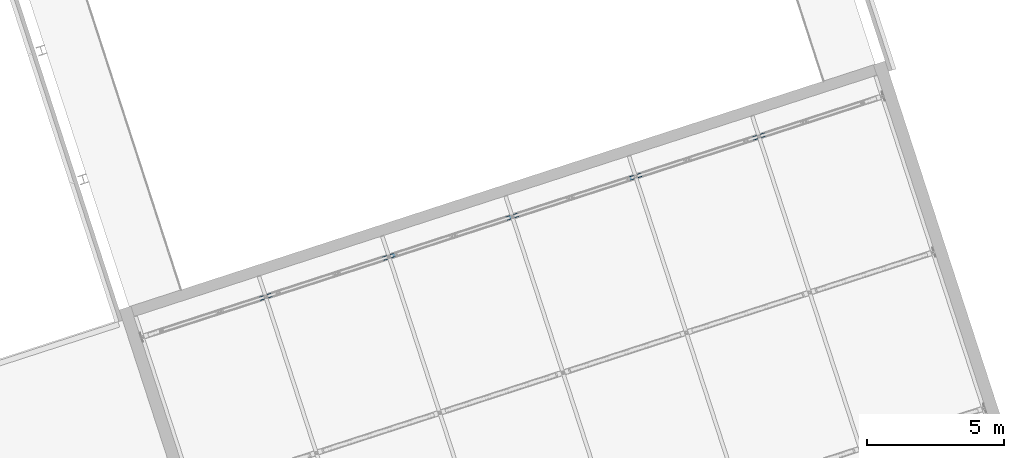
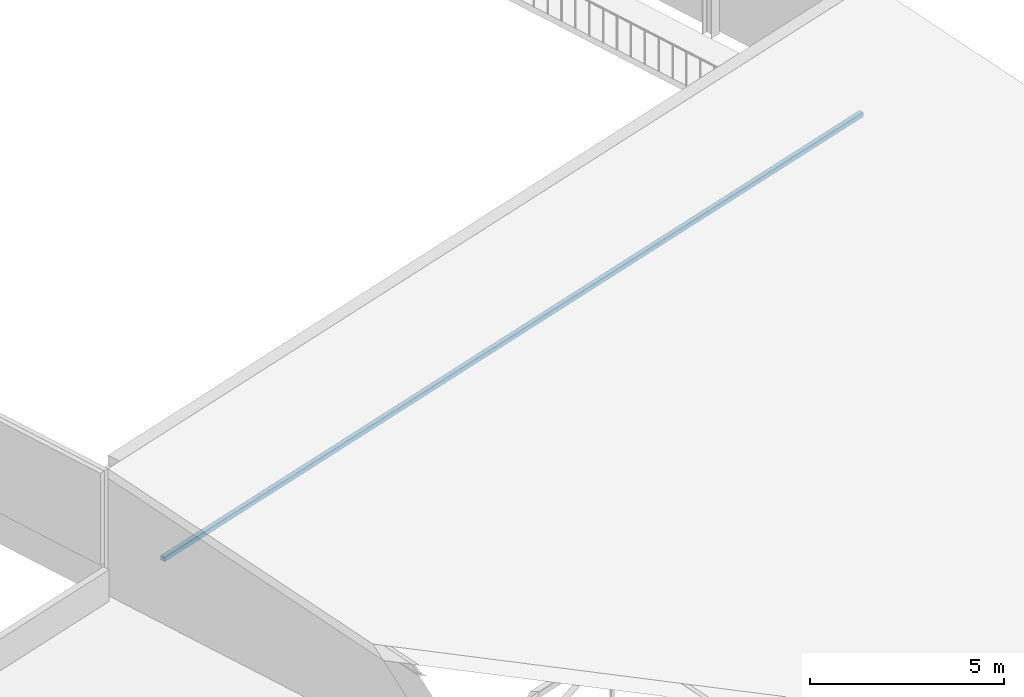
# One storey, part 13 of 55: 1 member.
"""IFC4 building model written with IfcOpenShell, lengths in metres."""

from ifc_helpers import new_model, si_unit, direction, frame, origin, origin_2d, place, context, subcontext, project, spatial, hollow_rectangle, extrude, material, material_profile, profile_set, type_object, element, save


model = new_model("IFC4")

# Units and contexts
model_context = context("Model", 3, precision=1e-05, world=origin(), true_north=direction((0.0, 1.0)))
body_context = subcontext(model_context, "Body", "Model", "MODEL_VIEW")
ifc_project = project(units=[si_unit("LENGTHUNIT", "METRE"), si_unit("AREAUNIT", "SQUARE_METRE"), si_unit("VOLUMEUNIT", "CUBIC_METRE"), si_unit("PLANEANGLEUNIT", "RADIAN"), si_unit("MASSUNIT", "GRAM", prefix="KILO")], contexts=[model_context])

# Site, building, storey
site_placement = place(None, origin())
site = spatial("IfcSite", under=ifc_project, at=site_placement, CompositionType="ELEMENT")
building_placement = place(site_placement, origin())
building = spatial("IfcBuilding", under=site, at=building_placement, Name="Tuart Plaza Theatre", CompositionType="ELEMENT")
storey_placement = place(building_placement, frame((0.0, 0.0, 21.5)))
storey = spatial("IfcBuildingStorey", under=building, at=storey_placement, Name="L05", CompositionType="ELEMENT", Elevation=21.5)

# Member
ifc_material = material(Name="Steel Grade C350L0", Category="steel")
ifc_material_profile = material_profile(ifc_material, hollow_rectangle(XDim=0.14990234375, YDim=0.14990234375, WallThickness=0.009033203125, InnerFilletRadius=0.009033203125, OuterFilletRadius=0.01806640625, at=origin_2d()), Name="150x150x9 SHS")
ifc_profile_set = profile_set([ifc_material_profile], Name="Steel Grade C350L0")
member_type = type_object("IfcMemberType", Name="MEMBER Chord 150x150x9 SHS", PredefinedType="CHORD", material=ifc_profile_set)
member_placement = place(storey_placement, frame((42.607666015625, 67.987548828125, 0.90087890625), z_axis=(0.951057078917, 0.309015262799, 0.0), x_axis=(-0.309015262799, 0.951057078917, 0.0)))
element("IfcMember", 1, at=member_placement, inside=storey, type_object=member_type, Name="CH35", PredefinedType="CHORD", context=body_context, shape_type="SweptSolid", body=[
    extrude(hollow_rectangle(XDim=0.14990234375, YDim=0.14990234375, WallThickness=0.009033203125, InnerFilletRadius=0.009033203125, OuterFilletRadius=0.01806640625, at=origin_2d()), origin(), (0.0, 0.0, 1.0), 26.97509765625),
])

save(model, "model.ifc")
